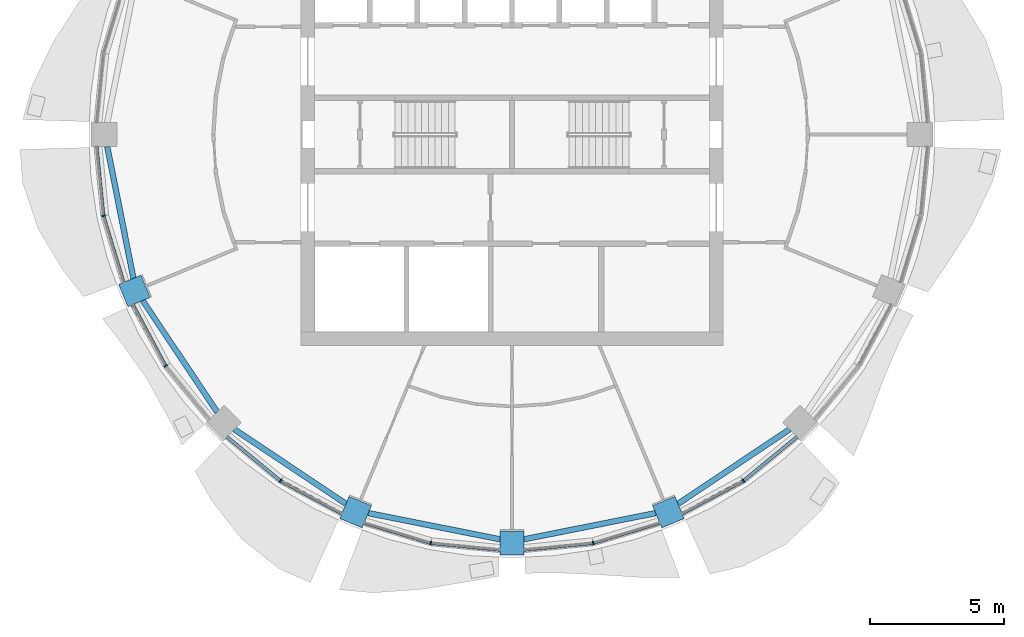
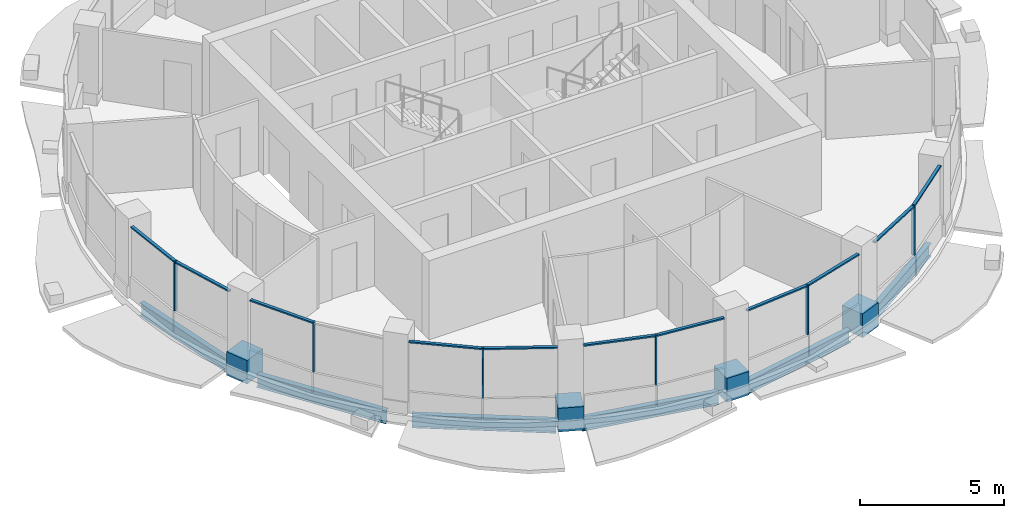
# One storey, part 2 of 14: 21 members, 6 beams, 6 elements without a shape of their own.
"""IFC4 building model written with IfcOpenShell, lengths in metres."""

from ifc_helpers import new_model, si_unit, direction, frame, origin, origin_2d, place, context, subcontext, project, spatial, rectangle, i_section, extrude, material, material_profile, profile_set, type_object, element, aggregate, save


model = new_model("IFC4")

# Units and contexts
model_context = context("Model", 3, precision=1e-05, world=origin(), true_north=direction((0.0, 1.0)))
body_context = subcontext(model_context, "Body", "Model", "MODEL_VIEW")
ifc_project = project(units=[si_unit("LENGTHUNIT", "METRE"), si_unit("AREAUNIT", "SQUARE_METRE"), si_unit("VOLUMEUNIT", "CUBIC_METRE"), si_unit("PLANEANGLEUNIT", "RADIAN"), si_unit("MASSUNIT", "GRAM", prefix="KILO")], contexts=[model_context])

# Site, building, storey
site_placement = place(None, origin())
site = spatial("IfcSite", under=ifc_project, at=site_placement, CompositionType="ELEMENT")
building_placement = place(site_placement, origin())
building = spatial("IfcBuilding", under=site, at=building_placement, Name="Polderwave Tower", CompositionType="ELEMENT")
storey_placement = place(building_placement, frame((0.0, 0.0, 217.800048828125)))
storey = spatial("IfcBuildingStorey", under=building, at=storey_placement, Name="L59", CompositionType="ELEMENT", Elevation=217.800048828125)

# Curtain wall, member
ifc_material_1 = material(Name="Aluminium 6063-T6 and glass", Category="aluminium")
curtain_wall_type = type_object("IfcCurtainWallType", Name="Office ribbon glazing wall", PredefinedType="NOTDEFINED", material=ifc_material_1)
curtain_wall_1_placement = place(storey_placement, origin())
curtain_wall_1 = element("IfcCurtainWall", 1, at=curtain_wall_1_placement, inside=storey, type_object=curtain_wall_type, Name="CW3 L59 08", PredefinedType="NOTDEFINED")
ifc_material_2 = material(Name="Aluminium 6063-T6", Category="aluminium")
ifc_material_profile_1 = material_profile(ifc_material_2, rectangle(XDim=0.139892578125, YDim=0.054931640625, at=origin_2d()), Name="AL 55x140")
ifc_profile_set_1 = profile_set([ifc_material_profile_1], Name="Aluminium 6063-T6")
member_type_1 = type_object("IfcMemberType", Name="Office ribbon glazing mullion 55x140", PredefinedType="MULLION", material=ifc_profile_set_1)
member_1_placement = place(storey_placement, frame((-15.2509765625, -3.033935546875, 0.89990234375), z_axis=(0.0, 0.0, 1.0), x_axis=(0.980784939905, 0.195092033809, 0.0)))
member_1 = element("IfcMember", 2, at=member_1_placement, type_object=member_type_1, Name="CW3 mullion 1", PredefinedType="MULLION", context=body_context, shape_type="SweptSolid", body=[
    extrude(rectangle(XDim=0.139892578125, YDim=0.054931640625, at=origin_2d()), origin(), (0.0, 0.0, 1.0), 2.10009765625),
])

curtain_wall_2_placement = place(storey_placement, origin())
curtain_wall_2 = element("IfcCurtainWall", 3, at=curtain_wall_2_placement, inside=storey, type_object=curtain_wall_type, Name="CW3 L59 09", PredefinedType="NOTDEFINED")
member_2_placement = place(storey_placement, frame((-12.928955078125, -8.638916015625, 0.89990234375), z_axis=(0.0, 0.0, 1.0), x_axis=(0.831430824157, 0.555628279195, 0.0)))
member_2 = element("IfcMember", 4, at=member_2_placement, type_object=member_type_1, Name="CW3 mullion 1", PredefinedType="MULLION", context=body_context, shape_type="SweptSolid", body=[
    extrude(rectangle(XDim=0.139892578125, YDim=0.054931640625, at=origin_2d()), origin(), (0.0, 0.0, 1.0), 2.10009765625),
])

curtain_wall_3_placement = place(storey_placement, origin())
curtain_wall_3 = element("IfcCurtainWall", 5, at=curtain_wall_3_placement, inside=storey, type_object=curtain_wall_type, Name="CW3 L59 10", PredefinedType="NOTDEFINED")
member_3_placement = place(storey_placement, frame((-8.638916015625, -12.928955078125, 0.89990234375), z_axis=(0.0, 0.0, 1.0), x_axis=(0.555628279195, 0.831430824157, 0.0)))
member_3 = element("IfcMember", 6, at=member_3_placement, type_object=member_type_1, Name="CW3 mullion 1", PredefinedType="MULLION", context=body_context, shape_type="SweptSolid", body=[
    extrude(rectangle(XDim=0.139892578125, YDim=0.054931640625, at=origin_2d()), origin(), (0.0, 0.0, 1.0), 2.10009765625),
])

curtain_wall_4_placement = place(storey_placement, origin())
curtain_wall_4 = element("IfcCurtainWall", 7, at=curtain_wall_4_placement, inside=storey, type_object=curtain_wall_type, Name="CW3 L59 11", PredefinedType="NOTDEFINED")
member_4_placement = place(storey_placement, frame((-3.033935546875, -15.2509765625, 0.89990234375), z_axis=(0.0, 0.0, 1.0), x_axis=(0.195092033809, 0.980784939905, 0.0)))
member_4 = element("IfcMember", 8, at=member_4_placement, type_object=member_type_1, Name="CW3 mullion 1", PredefinedType="MULLION", context=body_context, shape_type="SweptSolid", body=[
    extrude(rectangle(XDim=0.139892578125, YDim=0.054931640625, at=origin_2d()), origin(), (0.0, 0.0, 1.0), 2.10009765625),
])

curtain_wall_5_placement = place(storey_placement, origin())
curtain_wall_5 = element("IfcCurtainWall", 9, at=curtain_wall_5_placement, inside=storey, type_object=curtain_wall_type, Name="CW3 L59 12", PredefinedType="NOTDEFINED")
member_5_placement = place(storey_placement, frame((3.033935546875, -15.2509765625, 0.89990234375), z_axis=(0.0, 0.0, 1.0), x_axis=(-0.195092033809, 0.980784939905, 0.0)))
member_5 = element("IfcMember", 10, at=member_5_placement, type_object=member_type_1, Name="CW3 mullion 1", PredefinedType="MULLION", context=body_context, shape_type="SweptSolid", body=[
    extrude(rectangle(XDim=0.139892578125, YDim=0.054931640625, at=origin_2d()), origin(), (0.0, 0.0, 1.0), 2.10009765625),
])

curtain_wall_6_placement = place(storey_placement, origin())
curtain_wall_6 = element("IfcCurtainWall", 11, at=curtain_wall_6_placement, inside=storey, type_object=curtain_wall_type, Name="CW3 L59 13", PredefinedType="NOTDEFINED")
member_6_placement = place(storey_placement, frame((8.638916015625, -12.928955078125, 0.89990234375), z_axis=(0.0, 0.0, 1.0), x_axis=(-0.555628279195, 0.831430824157, 0.0)))
member_6 = element("IfcMember", 12, at=member_6_placement, type_object=member_type_1, Name="CW3 mullion 1", PredefinedType="MULLION", context=body_context, shape_type="SweptSolid", body=[
    extrude(rectangle(XDim=0.139892578125, YDim=0.054931640625, at=origin_2d()), origin(), (0.0, 0.0, 1.0), 2.10009765625),
])

# Member
ifc_material_profile_2 = material_profile(ifc_material_2, rectangle(XDim=0.1201171875, YDim=0.06005859375, at=origin_2d()), Name="AL 60x120")
ifc_profile_set_2 = profile_set([ifc_material_profile_2], Name="Aluminium 6063-T6")
member_type_2 = type_object("IfcMemberType", Name="Office ribbon glazing transom 60x120", PredefinedType="USERDEFINED", material=ifc_profile_set_2)
member_7_placement = place(storey_placement, frame((-15.506103515625, -0.449951171875, 2.969970703125), z_axis=(0.098261657218, -0.99516061353, 0.0), x_axis=(0.99516061353, 0.098261657218, 0.0)))
member_7 = element("IfcMember", 13, at=member_7_placement, type_object=member_type_2, Name="CW3 transom 1", ObjectType="TRANSOM", PredefinedType="USERDEFINED", context=body_context, shape_type="SweptSolid", body=[
    extrude(rectangle(XDim=0.1201171875, YDim=0.06005859375, at=origin_2d()), origin(), (0.0, 0.0, 1.0), 2.569091796875),
])

member_8_placement = place(storey_placement, frame((-15.242919921875, -3.060302734375, 2.969970703125), z_axis=(0.290041695061, -0.95701400989, 0.0), x_axis=(0.95701400989, 0.290041695061, 0.0)))
member_8 = element("IfcMember", 14, at=member_8_placement, type_object=member_type_2, Name="CW3 transom 2", ObjectType="TRANSOM", PredefinedType="USERDEFINED", context=body_context, shape_type="SweptSolid", body=[
    extrude(rectangle(XDim=0.1201171875, YDim=0.06005859375, at=origin_2d()), origin(), (0.0, 0.0, 1.0), 2.568115234375),
])

aggregate(curtain_wall_1, [member_1, member_7, member_8])

member_9_placement = place(storey_placement, frame((-14.153076171875, -6.35009765625, 2.969970703125), z_axis=(0.471609275387, -0.881807627189, 0.0), x_axis=(0.881807627189, 0.471609275387, 0.0)))
member_9 = element("IfcMember", 15, at=member_9_placement, type_object=member_type_2, Name="CW3 transom 1", ObjectType="TRANSOM", PredefinedType="USERDEFINED", context=body_context, shape_type="SweptSolid", body=[
    extrude(rectangle(XDim=0.1201171875, YDim=0.06005859375, at=origin_2d()), origin(), (0.0, 0.0, 1.0), 2.568115234375),
])

aggregate(curtain_wall_2, [member_2, member_9])

member_10_placement = place(storey_placement, frame((-10.64599609375, -11.281982421875, 2.969970703125), z_axis=(0.772990905552, -0.634417102491, 0.0), x_axis=(0.634417102491, 0.772990905552, 0.0)))
member_10 = element("IfcMember", 16, at=member_10_placement, type_object=member_type_2, Name="CW3 transom 1", ObjectType="TRANSOM", PredefinedType="USERDEFINED", context=body_context, shape_type="SweptSolid", body=[
    extrude(rectangle(XDim=0.1201171875, YDim=0.06005859375, at=origin_2d()), origin(), (0.0, 0.0, 1.0), 2.568603515625),
])

member_11_placement = place(storey_placement, frame((-8.61474609375, -12.94189453125, 2.969970703125), z_axis=(0.881807627189, -0.471609275387, 0.0), x_axis=(0.471609275387, 0.881807627189, 0.0)))
member_11 = element("IfcMember", 17, at=member_11_placement, type_object=member_type_2, Name="CW3 transom 2", ObjectType="TRANSOM", PredefinedType="USERDEFINED", context=body_context, shape_type="SweptSolid", body=[
    extrude(rectangle(XDim=0.1201171875, YDim=0.06005859375, at=origin_2d()), origin(), (0.0, 0.0, 1.0), 2.568115234375),
])

aggregate(curtain_wall_3, [member_3, member_10, member_11])

member_12_placement = place(storey_placement, frame((-5.51806640625, -14.498046875, 2.969970703125), z_axis=(0.95701400989, -0.290041695061, 0.0), x_axis=(0.290041695061, 0.95701400989, 0.0)))
member_12 = element("IfcMember", 18, at=member_12_placement, type_object=member_type_2, Name="CW3 transom 1", ObjectType="TRANSOM", PredefinedType="USERDEFINED", context=body_context, shape_type="SweptSolid", body=[
    extrude(rectangle(XDim=0.1201171875, YDim=0.06005859375, at=origin_2d()), origin(), (0.0, 0.0, 1.0), 2.568115234375),
])

member_13_placement = place(storey_placement, frame((-3.006591796875, -15.253662109375, 2.969970703125), z_axis=(0.99516061353, -0.098261657218, 0.0), x_axis=(0.098261657218, 0.99516061353, 0.0)))
member_13 = element("IfcMember", 19, at=member_13_placement, type_object=member_type_2, Name="CW3 transom 2", ObjectType="TRANSOM", PredefinedType="USERDEFINED", context=body_context, shape_type="SweptSolid", body=[
    extrude(rectangle(XDim=0.1201171875, YDim=0.06005859375, at=origin_2d()), origin(), (0.0, 0.0, 1.0), 2.569091796875),
])

aggregate(curtain_wall_4, [member_4, member_12, member_13])

member_14_placement = place(storey_placement, frame((0.449951171875, -15.506103515625, 2.969970703125), z_axis=(0.99516061353, 0.098261657218, 0.0), x_axis=(-0.098261657218, 0.99516061353, 0.0)))
member_14 = element("IfcMember", 20, at=member_14_placement, type_object=member_type_2, Name="CW3 transom 1", ObjectType="TRANSOM", PredefinedType="USERDEFINED", context=body_context, shape_type="SweptSolid", body=[
    extrude(rectangle(XDim=0.1201171875, YDim=0.06005859375, at=origin_2d()), origin(), (0.0, 0.0, 1.0), 2.569091796875),
])

member_15_placement = place(storey_placement, frame((3.060302734375, -15.242919921875, 2.969970703125), z_axis=(0.95701400989, 0.290041695061, 0.0), x_axis=(-0.290041695061, 0.95701400989, 0.0)))
member_15 = element("IfcMember", 21, at=member_15_placement, type_object=member_type_2, Name="CW3 transom 2", ObjectType="TRANSOM", PredefinedType="USERDEFINED", context=body_context, shape_type="SweptSolid", body=[
    extrude(rectangle(XDim=0.1201171875, YDim=0.06005859375, at=origin_2d()), origin(), (0.0, 0.0, 1.0), 2.568115234375),
])

aggregate(curtain_wall_5, [member_5, member_14, member_15])

member_16_placement = place(storey_placement, frame((6.35009765625, -14.153076171875, 2.969970703125), z_axis=(0.881807627189, 0.471609275387, 0.0), x_axis=(-0.471609275387, 0.881807627189, 0.0)))
member_16 = element("IfcMember", 22, at=member_16_placement, type_object=member_type_2, Name="CW3 transom 1", ObjectType="TRANSOM", PredefinedType="USERDEFINED", context=body_context, shape_type="SweptSolid", body=[
    extrude(rectangle(XDim=0.1201171875, YDim=0.06005859375, at=origin_2d()), origin(), (0.0, 0.0, 1.0), 2.568115234375),
])

member_17_placement = place(storey_placement, frame((8.660400390625, -12.91162109375, 2.969970703125), z_axis=(0.772990905552, 0.634417102491, 0.0), x_axis=(-0.634417102491, 0.772990905552, 0.0)))
member_17 = element("IfcMember", 23, at=member_17_placement, type_object=member_type_2, Name="CW3 transom 2", ObjectType="TRANSOM", PredefinedType="USERDEFINED", context=body_context, shape_type="SweptSolid", body=[
    extrude(rectangle(XDim=0.1201171875, YDim=0.06005859375, at=origin_2d()), origin(), (0.0, 0.0, 1.0), 2.568603515625),
])

aggregate(curtain_wall_6, [member_6, member_16, member_17])

# Members
ifc_material_3 = material(Name="Concrete C60/75", Category="concrete")
ifc_material_profile_3 = material_profile(ifc_material_3, rectangle(XDim=0.89990234375, YDim=0.89990234375, at=origin_2d()), Name="RC 900x900")
ifc_profile_set_3 = profile_set([ifc_material_profile_3], Name="Concrete C60/75")
member_type_3 = type_object("IfcMemberType", Name="RC NODE 900x900 C60/75", PredefinedType="POST", material=ifc_profile_set_3)
for number, where, z_axis, x_axis, name in (
    (24, (-14.0947265625, -5.838134765625, -0.5), (0.0, 0.0, 1.0), (-0.923879532511, -0.382683432365, 0.0), "Ring column node 10"),
    (25, (-5.838134765625, -14.0947265625, -0.5), (0.0, 0.0, 1.0), (-0.382683432365, -0.923879532511, 0.0), "Ring column node 12"),
    (26, (0.0, -15.255859375, -0.5), (0.0, 0.0, 1.0), (0.0, -1.0, 0.0), "Ring column node 13"),
    (27, (5.838134765625, -14.0947265625, -0.5), (0.0, 0.0, 1.0), (0.382683432365, -0.923879532511, 0.0), "Ring column node 14"),
):
    element("IfcMember", number, at=place(storey_placement, frame(where, z_axis=z_axis, x_axis=x_axis)), inside=storey, type_object=member_type_3, Name=name, PredefinedType="POST", context=body_context, shape_type="SweptSolid", body=[
        extrude(rectangle(XDim=0.89990234375, YDim=0.89990234375, at=origin_2d()), origin(), (0.0, 0.0, 1.0), 1.0),
    ])

# Beams
ifc_material_4 = material(Name="Steel S355", Category="steel")
ifc_material_profile_4 = material_profile(ifc_material_4, i_section(OverallWidth=0.2099609375, OverallDepth=0.550048828125, WebThickness=0.010986328125, FlangeThickness=0.01708984375, at=origin_2d()), Name="IPE 550")
ifc_profile_set_4 = profile_set([ifc_material_profile_4], Name="Steel S355")
beam_type = type_object("IfcBeamType", Name="RING BEAM IPE 550", PredefinedType="BEAM", material=ifc_profile_set_4)
for number, where, z_axis, x_axis, name in (
    (28, (-15.110595703125, -0.449951171875, -0.625), (0.195095186313, -0.980784312822, 0.0), (0.980784312822, 0.195095186313, 0.0), "ST-RB-L59-08"),
    (29, (-13.7880859375, -6.1982421875, -0.625), (0.555576499258, -0.831465425301, 0.0), (0.831465425301, 0.555576499258, 0.0), "ST-RB-L59-09"),
    (30, (-10.366455078125, -11.0029296875, -0.625), (0.831465425301, -0.555576499258, 0.0), (0.555576499258, 0.831465425301, 0.0), "ST-RB-L59-10"),
    (31, (-5.36669921875, -14.132568359375, -0.625), (0.980784312822, -0.195095186313, 0.0), (0.195095186313, 0.980784312822, 0.0), "ST-RB-L59-11"),
    (32, (0.449951171875, -15.110595703125, -0.625), (0.980784312822, 0.195095186313, 0.0), (-0.195095186313, 0.980784312822, 0.0), "ST-RB-L59-12"),
    (33, (6.1982421875, -13.7880859375, -0.625), (0.831465425301, 0.555576499258, 0.0), (-0.555576499258, 0.831465425301, 0.0), "ST-RB-L59-13"),
):
    element("IfcBeam", number, at=place(storey_placement, frame(where, z_axis=z_axis, x_axis=x_axis)), inside=storey, type_object=beam_type, Name=name, PredefinedType="BEAM", context=body_context, shape_type="SweptSolid", body=[
        extrude(i_section(OverallWidth=0.2099609375, OverallDepth=0.550048828125, WebThickness=0.010986328125, FlangeThickness=0.01708984375, at=origin_2d()), origin(), (0.0, 0.0, 1.0), 5.01318359375),
    ])

save(model, "model.ifc")
